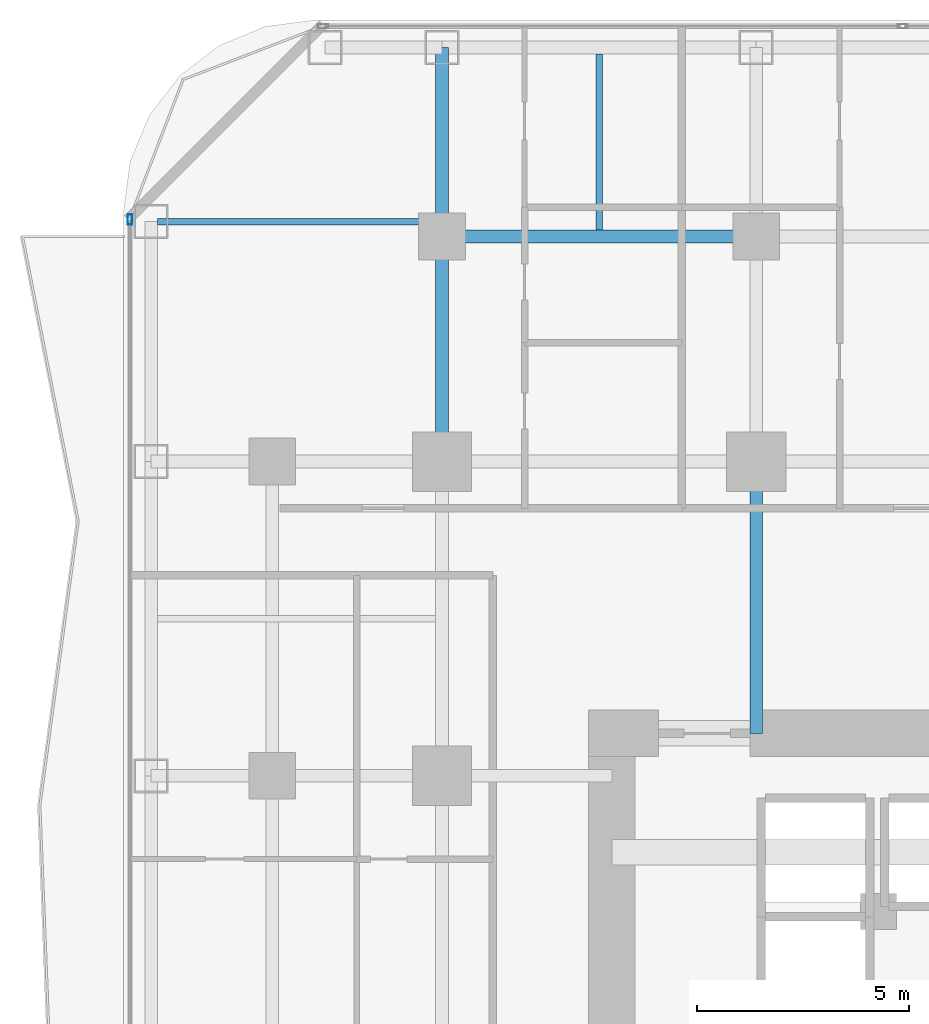
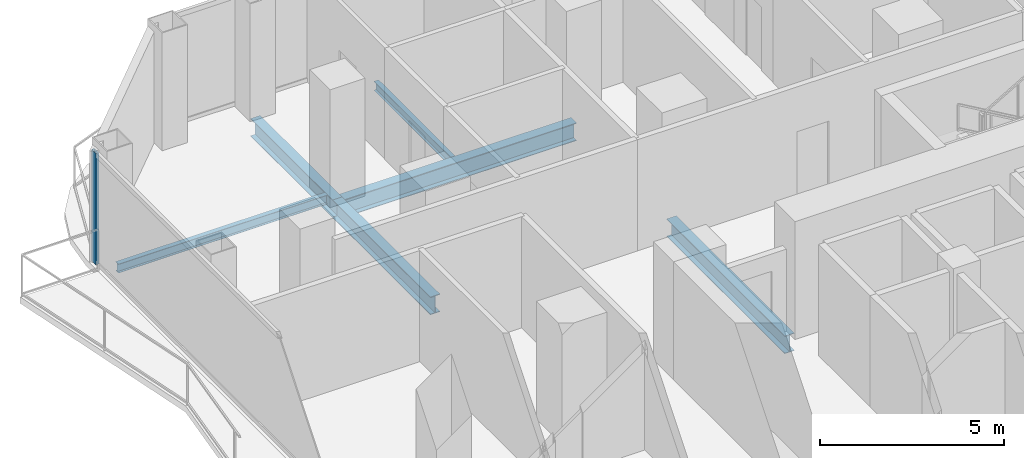
# One storey, part 14 of 27: 6 beams, 1 member, 1 element without a shape of its own.
"""IFC4 building model written with IfcOpenShell, lengths in metres."""

import ifcopenshell
import ifcopenshell.guid

model = None  # the IFC model being written
_history = None  # IfcOwnerHistory: only IFC2X3 demands one
_inside = {}  # id of a spatial element -> (the spatial element, [elements in it])
_under = {}  # id of a project, library or spatial element -> (it, [spatial elements below it])
_declared = {}  # id of a project -> (the project, [libraries it declares])
_typed = {}  # id of a type object -> (the type object, [elements of that type])
_made_of = {}  # id of a material, layer set ... -> (it, [elements and type objects made of it])


def new_model(schema):
    """Start an empty IFC model of exactly this schema.

    Asked for "IFC4X3", IfcOpenShell would pick the latest addendum, in which some entities
    have other attributes; the version numbers below select the first issue.
    IFC2X3 requires an IfcOwnerHistory on every rooted entity: one is made here for all.
    """
    global model, _history
    if schema == "IFC4X3":
        model = ifcopenshell.file(schema_version=(4, 3, 0, 0))
    else:
        model = ifcopenshell.file(schema=schema)
    _inside.clear()
    _under.clear()
    _declared.clear()
    _typed.clear()
    _made_of.clear()
    _history = None
    if model.schema == "IFC2X3":
        org = make("IfcOrganization", Name="unknown")
        user = make(
            "IfcPersonAndOrganization",
            ThePerson=make("IfcPerson", FamilyName="unknown"),
            TheOrganization=org,
        )
        app = make(
            "IfcApplication",
            ApplicationDeveloper=org,
            Version="unknown",
            ApplicationFullName="unknown",
            ApplicationIdentifier="unknown",
        )
        _history = make(
            "IfcOwnerHistory",
            OwningUser=user,
            OwningApplication=app,
            ChangeAction="ADDED",
            CreationDate=0,
        )
    return model


def make(cls, **values):
    """One entity of the class cls with the attributes given. An attribute that is None is left unset."""
    return model.create_entity(
        cls, **{name: value for name, value in values.items() if value is not None}
    )


def rooted(cls, **values):
    """An entity with a GlobalId (a new one), such as an element, a storey or a relation."""
    return make(cls, GlobalId=ifcopenshell.guid.new(), OwnerHistory=_history, **values)


def si_unit(unit_type, name, prefix=None):
    """IfcSIUnit, for example si_unit("LENGTHUNIT", "METRE", prefix="MILLI")."""
    return make("IfcSIUnit", UnitType=unit_type, Prefix=prefix, Name=name)


def assignment(units):
    """IfcUnitAssignment: the units of a project."""
    return None if units is None else make("IfcUnitAssignment", Units=units)


def point(xyz):
    """IfcCartesianPoint."""
    return None if xyz is None else make("IfcCartesianPoint", Coordinates=xyz)


def direction(xyz):
    """IfcDirection."""
    return None if xyz is None else make("IfcDirection", DirectionRatios=xyz)


def frame(location, z_axis=None, x_axis=None):
    """IfcAxis2Placement3D, a coordinate frame: its origin and axes. An axis left out is left unset."""
    return make(
        "IfcAxis2Placement3D",
        Location=point(location),
        Axis=direction(z_axis),
        RefDirection=direction(x_axis),
    )


def frame_2d(location, x_axis=None):
    """IfcAxis2Placement2D, a coordinate frame in the plane: its origin and x axis."""
    return make(
        "IfcAxis2Placement2D", Location=point(location), RefDirection=direction(x_axis)
    )


def origin():
    """The frame at (0, 0, 0) with its axes left unset."""
    return frame((0.0, 0.0, 0.0))


def origin_2d():
    """The frame at (0, 0) in the plane with its x axis left unset."""
    return frame_2d((0.0, 0.0))


def place(relative_to, where):
    """IfcLocalPlacement: puts the frame where relative to a parent placement (None: the world)."""
    return make(
        "IfcLocalPlacement", PlacementRelTo=relative_to, RelativePlacement=where
    )


def context(
    kind, dimensions, precision=None, world=None, true_north=None, identifier=None
):
    """IfcGeometricRepresentationContext, for example the 3D "Model" context."""
    return make(
        "IfcGeometricRepresentationContext",
        ContextIdentifier=identifier,
        ContextType=kind,
        CoordinateSpaceDimension=dimensions,
        Precision=precision,
        WorldCoordinateSystem=world,
        TrueNorth=true_north,
    )


def subcontext(parent, identifier, kind, view, scale=None):
    """IfcGeometricRepresentationSubContext, for example "Body" below "Model"."""
    return make(
        "IfcGeometricRepresentationSubContext",
        ContextIdentifier=identifier,
        ContextType=kind,
        ParentContext=parent,
        TargetScale=scale,
        TargetView=view,
    )


def project(units=None, contexts=None):
    """IfcProject with its units and contexts."""
    return rooted(
        "IfcProject",
        Name="project",
        RepresentationContexts=contexts,
        UnitsInContext=assignment(units),
    )


def spatial(cls, under=None, at=None, **own):
    """A site, building, storey or space (cls), placed at a placement, below another one or the project."""
    s = rooted(cls, ObjectPlacement=at, **own)
    if under is not None:
        _under.setdefault(under.id(), (under, []))[1].append(s)
    return s


def profile(cls, at=None, kind="AREA", **sizes):
    """A parametric profile (cls). Its sizes go by their IFC names, for example OverallWidth=200.0."""
    return make(cls, ProfileType=kind, Position=at, **sizes)


def hollow_rectangle(**sizes):
    """IfcRectangleHollowProfileDef."""
    return profile("IfcRectangleHollowProfileDef", **sizes)


def i_section(**sizes):
    """IfcIShapeProfileDef."""
    return profile("IfcIShapeProfileDef", **sizes)


def extrude(swept, where, along, depth):
    """IfcExtrudedAreaSolid: the profile swept, set in the frame where, extruded along a direction by depth."""
    return make(
        "IfcExtrudedAreaSolid",
        SweptArea=swept,
        Position=where,
        ExtrudedDirection=direction(along),
        Depth=depth,
    )


def shape(context_of_items, identifier, shape_type, items):
    """IfcShapeRepresentation: the items that make up one representation, for example the "Body"."""
    return make(
        "IfcShapeRepresentation",
        ContextOfItems=context_of_items,
        RepresentationIdentifier=identifier,
        RepresentationType=shape_type,
        Items=items,
    )


def material(Name=None, Category=None):
    """IfcMaterial."""
    return make("IfcMaterial", Name=Name, Category=Category)


def layer(
    of_material, thickness, ventilated=None, Name=None, Category=None, Priority=None
):
    """IfcMaterialLayer: one layer of a wall or slab, of a material (None: an air gap)."""
    return make(
        "IfcMaterialLayer",
        Material=of_material,
        LayerThickness=thickness,
        IsVentilated=ventilated,
        Name=Name,
        Category=Category,
        Priority=Priority,
    )


def layer_set(layers, Name=None):
    """IfcMaterialLayerSet."""
    return make("IfcMaterialLayerSet", MaterialLayers=layers, LayerSetName=Name)


def material_profile(
    of_material, cross_section, Name=None, Category=None, Priority=None
):
    """IfcMaterialProfile: a cross section and its material."""
    return make(
        "IfcMaterialProfile",
        Name=Name,
        Material=of_material,
        Profile=cross_section,
        Priority=Priority,
        Category=Category,
    )


def profile_set(profiles, Name=None, composite=None):
    """IfcMaterialProfileSet."""
    return make(
        "IfcMaterialProfileSet",
        Name=Name,
        MaterialProfiles=profiles,
        CompositeProfile=composite,
    )


def made_of(thing, what):
    """Note that an element or type object is made of a material, layer set ...; save() writes the relation."""
    if what is not None:
        _made_of.setdefault(what.id(), (what, []))[1].append(thing)
    return thing


def type_object(cls, material=None, **own):
    """A type object (cls), such as IfcWallType, which elements share."""
    return made_of(rooted(cls, **own), material)


def element(
    cls,
    number,
    at=None,
    inside=None,
    cuts=None,
    type_object=None,
    material=None,
    context=None,
    identifier="Body",
    shape_type=None,
    held_by="IfcProductDefinitionShape",
    body=None,
    shapes=None,
    **own,
):
    """One element of the class cls, such as IfcWall. Its Tag is "e" and its number.

    at: its placement. inside: the storey or other place that contains it. cuts: it is an
    opening in that element (IfcRelVoidsElement). A single representation is given by context,
    identifier, shape_type and body (its items); several are given by shapes. held_by: the class
    of the entity that holds the representations. save() writes the other relations.
    """
    e = rooted(cls, Tag="e%d" % number, ObjectPlacement=at, **own)
    if body is not None:
        shapes = [shape(context, identifier, shape_type, body)]
    if shapes is not None:
        e.Representation = make(held_by, Representations=shapes)
    if inside is not None:
        _inside.setdefault(inside.id(), (inside, []))[1].append(e)
    if cuts is not None:
        rooted(
            "IfcRelVoidsElement", RelatingBuildingElement=cuts, RelatedOpeningElement=e
        )
    if type_object is not None:
        _typed.setdefault(type_object.id(), (type_object, []))[1].append(e)
    return made_of(e, material)


def aggregate(whole, parts):
    """IfcRelAggregates: a whole, such as a stair, and the parts it consists of."""
    return rooted("IfcRelAggregates", RelatingObject=whole, RelatedObjects=parts)


def save(model, path):
    """Write the relations noted so far, then the file.

    IfcRelAggregates (storeys below a building ...), IfcRelContainedInSpatialStructure (elements
    in a storey), IfcRelDefinesByType, IfcRelAssociatesMaterial and IfcRelDeclares: one each for
    every whole, place, type object, material and project.
    """
    for whole, parts in _under.values():
        aggregate(whole, parts)
    for where, things in _inside.values():
        rooted(
            "IfcRelContainedInSpatialStructure",
            RelatedElements=things,
            RelatingStructure=where,
        )
    for kind, things in _typed.values():
        rooted("IfcRelDefinesByType", RelatedObjects=things, RelatingType=kind)
    for what, things in _made_of.values():
        rooted("IfcRelAssociatesMaterial", RelatedObjects=things, RelatingMaterial=what)
    for by, libraries in _declared.values():
        rooted("IfcRelDeclares", RelatingContext=by, RelatedDefinitions=libraries)
    model.write(path)


model = new_model("IFC4")

# Units and contexts
model_context = context("Model", 3, precision=1e-05, world=origin(), true_north=direction((0.0, 1.0)))
body_context = subcontext(model_context, "Body", "Model", "MODEL_VIEW")
ifc_project = project(units=[si_unit("LENGTHUNIT", "METRE"), si_unit("AREAUNIT", "SQUARE_METRE"), si_unit("VOLUMEUNIT", "CUBIC_METRE"), si_unit("PLANEANGLEUNIT", "RADIAN"), si_unit("MASSUNIT", "GRAM", prefix="KILO")], contexts=[model_context])

# Site, building, storey
site_placement = place(None, origin())
site = spatial("IfcSite", under=ifc_project, at=site_placement, CompositionType="ELEMENT")
building_placement = place(site_placement, origin())
building = spatial("IfcBuilding", under=site, at=building_placement, Name="Khorvyn Point Tower", CompositionType="ELEMENT")
storey_placement = place(building_placement, frame((0.0, 0.0, 46.199951171875)))
storey = spatial("IfcBuildingStorey", under=building, at=storey_placement, Name="L12", CompositionType="ELEMENT", Elevation=46.199951171875)

# Curtain wall, member
ifc_material_1 = material(Name="Anodised aluminium 6063-T6 and laminated Low-E glass", Category="aluminium")
ifc_layer = layer(ifc_material_1, 0.18994140625)
ifc_layer_set = layer_set([ifc_layer], Name="Stick-Built Finned Residential Curtain Wall CW-SYS-02")
curtain_wall_type = type_object("IfcCurtainWallType", Name="Stick-Built Finned Residential Curtain Wall CW-SYS-02", PredefinedType="NOTDEFINED", material=ifc_layer_set)
curtain_wall_placement = place(storey_placement, origin())
curtain_wall = element("IfcCurtainWall", 1, at=curtain_wall_placement, inside=storey, type_object=curtain_wall_type, Name="Curtain Wall", PredefinedType="NOTDEFINED")
ifc_material_2 = material(Name="Anodised aluminium 6063-T6", Category="aluminium")
ifc_material_profile_1 = material_profile(ifc_material_2, hollow_rectangle(XDim=0.10009765625, YDim=0.239990234375, WallThickness=0.0048828125, at=origin_2d()))
ifc_profile_set_1 = profile_set([ifc_material_profile_1], Name="Anodised aluminium 6063-T6 ALU-MUL-100x240")
member_type = type_object("IfcMemberType", Name="Anodised Aluminium 6063-T6 Mullion ALU-MUL-100x240", PredefinedType="MULLION", material=ifc_profile_set_1)
member_placement = place(storey_placement, frame((-22.14990234375, 20.5, 0.0), z_axis=(0.0, 0.0, 1.0), x_axis=(-1.0, 0.0, 0.0)))
member = element("IfcMember", 2, at=member_placement, type_object=member_type, Name="Transom", PredefinedType="MULLION", context=body_context, shape_type="SweptSolid", body=[
    extrude(hollow_rectangle(XDim=0.10009765625, YDim=0.239990234375, WallThickness=0.0048828125, at=origin_2d()), origin(), (0.0, 0.0, 1.0), 3.679931640625),
])
aggregate(curtain_wall, [member])

# Beams
ifc_material_3 = material(Name="Steel S355", Category="steel")
ifc_material_profile_2 = material_profile(ifc_material_3, i_section(OverallWidth=0.300048828125, OverallDepth=0.587890625, WebThickness=0.011962890625, FlangeThickness=0.02001953125, at=origin_2d()))
ifc_profile_set_2 = profile_set([ifc_material_profile_2], Name="Steel S355 H588x300x12x20")
beam_type_1 = type_object("IfcBeamType", Name="Steel S355 Beam H588x300x12x20", PredefinedType="BEAM", material=ifc_profile_set_2)
beam_1_placement = place(storey_placement, frame((-14.800048828125, 20.10009765625, -0.513916015625), z_axis=(1.0, 0.0, 0.0), x_axis=(0.0, 1.0, 0.0)))
element("IfcBeam", 3, at=beam_1_placement, inside=storey, type_object=beam_type_1, Name="Beam", PredefinedType="BEAM", context=body_context, shape_type="SweptSolid", body=[
    extrude(i_section(OverallWidth=0.300048828125, OverallDepth=0.587890625, WebThickness=0.011962890625, FlangeThickness=0.02001953125, at=origin_2d()), origin(), (0.0, 0.0, 1.0), 7.400146484375),
])
beam_2_placement = place(storey_placement, frame((-14.800048828125, 14.800048828125, -0.513916015625), z_axis=(0.0, 1.0, 0.0), x_axis=(-1.0, 0.0, 0.0)))
element("IfcBeam", 4, at=beam_2_placement, inside=storey, type_object=beam_type_1, Name="Beam", PredefinedType="BEAM", context=body_context, shape_type="SweptSolid", body=[
    extrude(i_section(OverallWidth=0.300048828125, OverallDepth=0.587890625, WebThickness=0.011962890625, FlangeThickness=0.02001953125, at=origin_2d()), origin(), (0.0, 0.0, 1.0), 5.300048828125),
])
beam_3_placement = place(storey_placement, frame((-14.800048828125, 20.10009765625, -0.513916015625), z_axis=(0.0, 1.0, 0.0), x_axis=(-1.0, 0.0, 0.0)))
element("IfcBeam", 5, at=beam_3_placement, inside=storey, type_object=beam_type_1, Name="Beam", PredefinedType="BEAM", context=body_context, shape_type="SweptSolid", body=[
    extrude(i_section(OverallWidth=0.300048828125, OverallDepth=0.587890625, WebThickness=0.011962890625, FlangeThickness=0.02001953125, at=origin_2d()), origin(), (0.0, 0.0, 1.0), 4.449951171875),
])
beam_4_placement = place(storey_placement, frame((-7.39990234375, 8.39990234375, -0.513916015625), z_axis=(0.0, 1.0, 0.0), x_axis=(-1.0, 0.0, 0.0)))
element("IfcBeam", 6, at=beam_4_placement, inside=storey, type_object=beam_type_1, Name="Beam", PredefinedType="BEAM", context=body_context, shape_type="SweptSolid", body=[
    extrude(i_section(OverallWidth=0.300048828125, OverallDepth=0.587890625, WebThickness=0.011962890625, FlangeThickness=0.02001953125, at=origin_2d()), origin(), (0.0, 0.0, 1.0), 6.400146484375),
])
ifc_material_profile_3 = material_profile(ifc_material_3, i_section(OverallWidth=0.14990234375, OverallDepth=0.300048828125, WebThickness=0.006591796875, FlangeThickness=0.009033203125, at=origin_2d()))
ifc_profile_set_3 = profile_set([ifc_material_profile_3], Name="Steel S355 H300x150x6.5x9")
beam_type_2 = type_object("IfcBeamType", Name="Steel S355 Joist H300x150x6.5x9", PredefinedType="JOIST", material=ifc_profile_set_3)
beam_5_placement = place(storey_placement, frame((-11.10009765625, 20.25, -0.369873046875), z_axis=(0.0, 1.0, 0.0), x_axis=(-1.0, 0.0, 0.0)))
element("IfcBeam", 7, at=beam_5_placement, inside=storey, type_object=beam_type_2, Name="Beam", PredefinedType="JOIST", context=body_context, shape_type="SweptSolid", body=[
    extrude(i_section(OverallWidth=0.14990234375, OverallDepth=0.300048828125, WebThickness=0.006591796875, FlangeThickness=0.009033203125, at=origin_2d()), origin(), (0.0, 0.0, 1.0), 4.14990234375),
])
beam_6_placement = place(storey_placement, frame((-21.5, 20.449951171875, -0.369873046875), z_axis=(1.0, 0.0, 0.0), x_axis=(0.0, 1.0, 0.0)))
element("IfcBeam", 8, at=beam_6_placement, inside=storey, type_object=beam_type_2, Name="Beam", PredefinedType="JOIST", context=body_context, shape_type="SweptSolid", body=[
    extrude(i_section(OverallWidth=0.14990234375, OverallDepth=0.300048828125, WebThickness=0.006591796875, FlangeThickness=0.009033203125, at=origin_2d()), origin(), (0.0, 0.0, 1.0), 6.550048828125),
])

save(model, "model.ifc")
